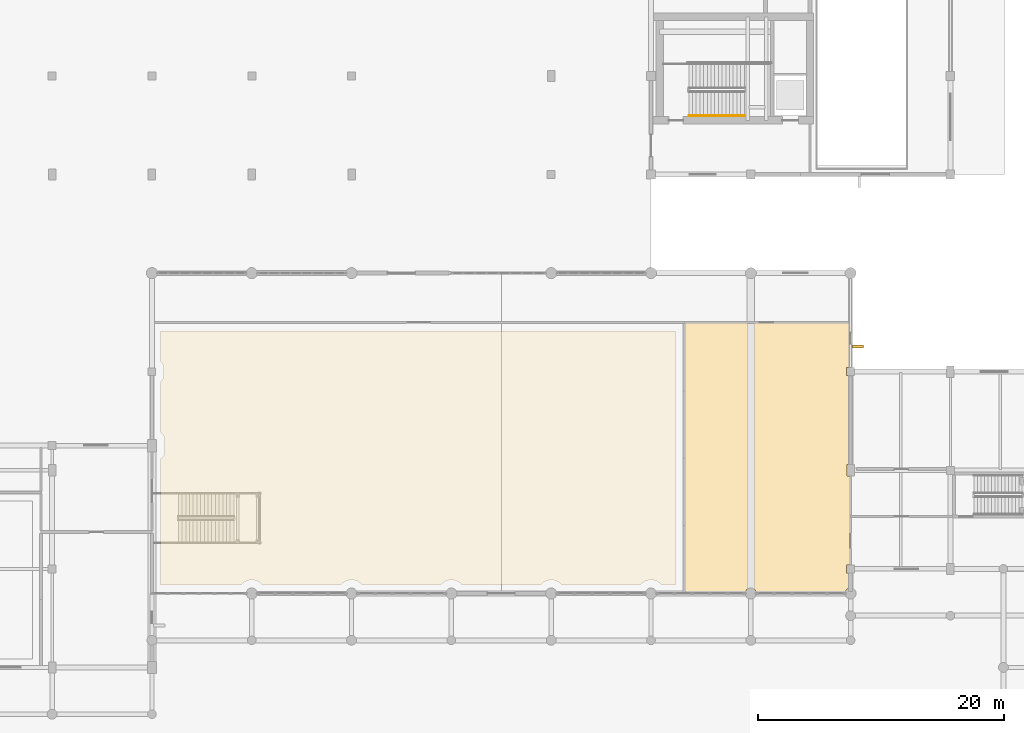
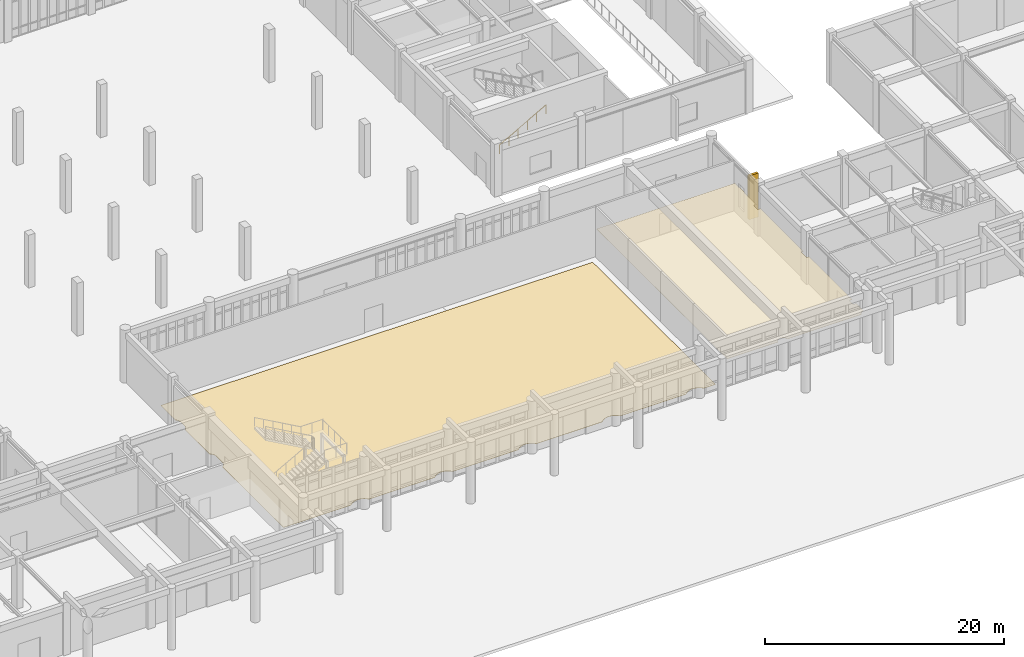
# One storey, part 55 of 62: 2 coverings, 1 railing, 1 shading device.
"""IFC4 building model written with IfcOpenShell, lengths in metres."""

from ifc_helpers import new_model, si_unit, direction, frame, origin, origin_2d, place, context, subcontext, project, spatial, polyline, rectangle, circle, outline, extrude, material, layer, layer_set, material_profile, profile_set, type_object, element, save


model = new_model("IFC4")

# Units and contexts
model_context = context("Model", 3, precision=1e-05, world=origin(), true_north=direction((0.0, 1.0)))
body_context = subcontext(model_context, "Body", "Model", "MODEL_VIEW")
ifc_project = project(units=[si_unit("LENGTHUNIT", "METRE"), si_unit("AREAUNIT", "SQUARE_METRE"), si_unit("VOLUMEUNIT", "CUBIC_METRE"), si_unit("PLANEANGLEUNIT", "RADIAN"), si_unit("MASSUNIT", "GRAM", prefix="KILO")], contexts=[model_context])

# Site, building, storey
site_placement = place(None, origin())
site = spatial("IfcSite", under=ifc_project, at=site_placement, CompositionType="ELEMENT")
building_placement = place(site_placement, origin())
building = spatial("IfcBuilding", under=site, at=building_placement, Name="Tarnveldt Square Police Headquarters", CompositionType="ELEMENT")
storey_placement = place(building_placement, origin())
storey = spatial("IfcBuildingStorey", under=building, at=storey_placement, Name="L00", CompositionType="ELEMENT", Elevation=0.0)

# Coverings
ifc_material_1 = material(Name="Mineral-fibre acoustic ceiling tile", Category="gypsum")
ifc_layer_1 = layer(ifc_material_1, 0.02001953125)
ifc_layer_set_1 = layer_set([ifc_layer_1], Name="Mineral-fibre acoustic ceiling tile")
covering_type_1 = type_object("IfcCoveringType", Name="COV-CEIL-20", PredefinedType="CEILING", material=ifc_layer_set_1)
covering_1_placement = place(storey_placement, frame((0.0, 0.0, 2.75)))
element("IfcCovering", 1, at=covering_1_placement, inside=storey, type_object=covering_type_1, Name="Public Screening and Memorial Gallery Acoustic Ceiling", PredefinedType="CEILING", context=body_context, shape_type="SweptSolid", body=[
    extrude(outline(polyline([(121.449951171875, 22.448974609375), (121.411865234375, 22.443359375), (121.368896484375, 22.4326171875), (121.326904296875, 22.41748046875), (121.286865234375, 22.398681640625), (121.248779296875, 22.375732421875), (121.213134765625, 22.349365234375), (121.180419921875, 22.319580078125), (121.150634765625, 22.286865234375), (121.124267578125, 22.251220703125), (121.101318359375, 22.213134765625), (121.08251953125, 22.173095703125), (121.0673828125, 22.131103515625), (121.056640625, 22.088134765625), (121.051025390625, 22.050048828125), (113.848876953125, 22.050048828125), (113.84326171875, 22.088134765625), (113.83251953125, 22.131103515625), (113.817626953125, 22.173095703125), (113.798583984375, 22.213134765625), (113.77587890625, 22.251220703125), (113.74951171875, 22.286865234375), (113.7197265625, 22.319580078125), (113.686767578125, 22.349365234375), (113.651123046875, 22.375732421875), (113.613037109375, 22.398681640625), (113.572998046875, 22.41748046875), (113.53125, 22.4326171875), (113.48828125, 22.443359375), (113.4443359375, 22.44970703125), (113.39990234375, 22.451904296875), (113.355712890625, 22.44970703125), (113.311767578125, 22.443359375), (113.268798828125, 22.4326171875), (113.22705078125, 22.41748046875), (113.18701171875, 22.398681640625), (113.14892578125, 22.375732421875), (113.11328125, 22.349365234375), (113.080322265625, 22.319580078125), (113.050537109375, 22.286865234375), (113.024169921875, 22.251220703125), (113.00146484375, 22.213134765625), (112.982421875, 22.173095703125), (112.967529296875, 22.131103515625), (112.956787109375, 22.088134765625), (112.950927734375, 22.050048828125), (108.050048828125, 22.050048828125), (108.050048828125, 43.949951171875), (121.449951171875, 43.949951171875), (121.449951171875, 40.326904296875), (121.173095703125, 40.326904296875), (121.173095703125, 39.673095703125), (121.449951171875, 39.673095703125), (121.449951171875, 32.451904296875), (121.197998046875, 32.451904296875), (121.197998046875, 31.548095703125), (121.449951171875, 31.548095703125), (121.449951171875, 24.326904296875), (121.173095703125, 24.326904296875), (121.173095703125, 23.673095703125), (121.449951171875, 23.673095703125), (121.449951171875, 22.448974609375)])), origin(), (0.0, 0.0, 1.0), 0.02001953125),
])
ifc_material_2 = material(Name="Polished cementitious terrazzo flooring", Category="concrete")
ifc_layer_2 = layer(ifc_material_2, 0.02490234375)
ifc_layer_set_2 = layer_set([ifc_layer_2], Name="Polished cementitious terrazzo flooring")
covering_type_2 = type_object("IfcCoveringType", Name="COV-FLR-25", PredefinedType="FLOORING", material=ifc_layer_set_2)
covering_2_placement = place(storey_placement, origin())
element("IfcCovering", 2, at=covering_2_placement, inside=storey, type_object=covering_type_2, Name="Public Entrance Hall Terrazzo Finish Flooring", PredefinedType="FLOORING", context=body_context, shape_type="SweptSolid", body=[
    extrude(outline(polyline([(65.5, 32.934814453125), (65.5380859375, 32.95751953125), (65.58935546875, 32.99560546875), (65.63671875, 33.038330078125), (65.679443359375, 33.085693359375), (65.717529296875, 33.136962890625), (65.750244140625, 33.191650390625), (65.777587890625, 33.249267578125), (65.799072265625, 33.309326171875), (65.814453125, 33.37109375), (65.823974609375, 33.434326171875), (65.826904296875, 33.498046875), (65.826904296875, 34.501953125), (65.823974609375, 34.565673828125), (65.814453125, 34.62890625), (65.799072265625, 34.690673828125), (65.777587890625, 34.750732421875), (65.750244140625, 34.808349609375), (65.717529296875, 34.863037109375), (65.679443359375, 34.914306640625), (65.63671875, 34.961669921875), (65.58935546875, 35.00439453125), (65.5380859375, 35.04248046875), (65.5, 35.065185546875), (65.5, 39.184814453125), (65.514404296875, 39.195556640625), (65.5615234375, 39.23828125), (65.6044921875, 39.28564453125), (65.642333984375, 39.3369140625), (65.67529296875, 39.3916015625), (65.70263671875, 39.44921875), (65.72412109375, 39.50927734375), (65.739501953125, 39.5712890625), (65.748779296875, 39.63427734375), (65.751953125, 39.697998046875), (65.751953125, 40.302001953125), (65.748779296875, 40.36572265625), (65.739501953125, 40.4287109375), (65.72412109375, 40.49072265625), (65.70263671875, 40.55078125), (65.67529296875, 40.6083984375), (65.642333984375, 40.6630859375), (65.6044921875, 40.71435546875), (65.5615234375, 40.76171875), (65.514404296875, 40.804443359375), (65.5, 40.815185546875), (65.5, 43.300048828125), (107.300048828125, 43.300048828125), (107.300048828125, 22.699951171875), (106.150146484375, 22.699951171875), (106.131103515625, 22.72314453125), (106.101318359375, 22.756103515625), (106.05615234375, 22.80126953125), (106.023193359375, 22.8310546875), (105.973876953125, 22.87158203125), (105.938232421875, 22.89794921875), (105.88525390625, 22.933349609375), (105.84716796875, 22.9560546875), (105.791015625, 22.986328125), (105.7509765625, 23.005126953125), (105.69189453125, 23.029541015625), (105.650146484375, 23.04443359375), (105.589111328125, 23.06298828125), (105.546142578125, 23.07373046875), (105.483642578125, 23.086181640625), (105.439697265625, 23.0927734375), (105.376220703125, 23.09912109375), (105.331787109375, 23.101318359375), (105.26806640625, 23.101318359375), (105.223876953125, 23.09912109375), (105.160400390625, 23.0927734375), (105.116455078125, 23.086181640625), (105.053955078125, 23.07373046875), (105.0107421875, 23.06298828125), (104.94970703125, 23.04443359375), (104.907958984375, 23.029541015625), (104.84912109375, 23.005126953125), (104.80908203125, 22.986328125), (104.752685546875, 22.9560546875), (104.714599609375, 22.933349609375), (104.66162109375, 22.89794921875), (104.6259765625, 22.87158203125), (104.57666015625, 22.8310546875), (104.5439453125, 22.80126953125), (104.498779296875, 22.756103515625), (104.468994140625, 22.72314453125), (104.449951171875, 22.699951171875), (98.050048828125, 22.699951171875), (98.031005859375, 22.72314453125), (98.001220703125, 22.756103515625), (97.9560546875, 22.80126953125), (97.92333984375, 22.8310546875), (97.8740234375, 22.87158203125), (97.83837890625, 22.89794921875), (97.785400390625, 22.933349609375), (97.747314453125, 22.9560546875), (97.69091796875, 22.986328125), (97.65087890625, 23.005126953125), (97.592041015625, 23.029541015625), (97.55029296875, 23.04443359375), (97.4892578125, 23.06298828125), (97.446044921875, 23.07373046875), (97.383544921875, 23.086181640625), (97.339599609375, 23.0927734375), (97.276123046875, 23.09912109375), (97.23193359375, 23.101318359375), (97.168212890625, 23.101318359375), (97.123779296875, 23.09912109375), (97.060302734375, 23.0927734375), (97.016357421875, 23.086181640625), (96.953857421875, 23.07373046875), (96.910888671875, 23.06298828125), (96.849853515625, 23.04443359375), (96.80810546875, 23.029541015625), (96.7490234375, 23.005126953125), (96.708984375, 22.986328125), (96.65283203125, 22.9560546875), (96.61474609375, 22.933349609375), (96.561767578125, 22.89794921875), (96.526123046875, 22.87158203125), (96.476806640625, 22.8310546875), (96.44384765625, 22.80126953125), (96.398681640625, 22.756103515625), (96.368896484375, 22.72314453125), (96.349853515625, 22.699951171875), (89.9501953125, 22.699951171875), (89.930908203125, 22.72314453125), (89.901123046875, 22.756103515625), (89.856201171875, 22.80126953125), (89.8232421875, 22.8310546875), (89.77392578125, 22.87158203125), (89.73828125, 22.89794921875), (89.685302734375, 22.933349609375), (89.647216796875, 22.9560546875), (89.591064453125, 22.986328125), (89.55078125, 23.005126953125), (89.491943359375, 23.029541015625), (89.4501953125, 23.04443359375), (89.38916015625, 23.06298828125), (89.34619140625, 23.07373046875), (89.283447265625, 23.086181640625), (89.23974609375, 23.0927734375), (89.17626953125, 23.09912109375), (89.1318359375, 23.101318359375), (89.068115234375, 23.101318359375), (89.023681640625, 23.09912109375), (88.960205078125, 23.0927734375), (88.91650390625, 23.086181640625), (88.85400390625, 23.07373046875), (88.810791015625, 23.06298828125), (88.749755859375, 23.04443359375), (88.7080078125, 23.029541015625), (88.649169921875, 23.005126953125), (88.609130859375, 22.986328125), (88.552734375, 22.9560546875), (88.5146484375, 22.933349609375), (88.461669921875, 22.89794921875), (88.426025390625, 22.87158203125), (88.376708984375, 22.8310546875), (88.343994140625, 22.80126953125), (88.298828125, 22.756103515625), (88.26904296875, 22.72314453125), (88.25, 22.699951171875), (81.85009765625, 22.699951171875), (81.8310546875, 22.72314453125), (81.80126953125, 22.756103515625), (81.756103515625, 22.80126953125), (81.72314453125, 22.8310546875), (81.674072265625, 22.87158203125), (81.638427734375, 22.89794921875), (81.585205078125, 22.933349609375), (81.547119140625, 22.9560546875), (81.490966796875, 22.986328125), (81.450927734375, 23.005126953125), (81.391845703125, 23.029541015625), (81.35009765625, 23.04443359375), (81.2890625, 23.06298828125), (81.24609375, 23.07373046875), (81.18359375, 23.086181640625), (81.1396484375, 23.0927734375), (81.076171875, 23.09912109375), (81.031982421875, 23.101318359375), (80.968017578125, 23.101318359375), (80.923828125, 23.09912109375), (80.8603515625, 23.0927734375), (80.81640625, 23.086181640625), (80.75390625, 23.07373046875), (80.7109375, 23.06298828125), (80.64990234375, 23.04443359375), (80.608154296875, 23.029541015625), (80.549072265625, 23.005126953125), (80.509033203125, 22.986328125), (80.452880859375, 22.9560546875), (80.414794921875, 22.933349609375), (80.361572265625, 22.89794921875), (80.325927734375, 22.87158203125), (80.27685546875, 22.8310546875), (80.243896484375, 22.80126953125), (80.19873046875, 22.756103515625), (80.1689453125, 22.72314453125), (80.14990234375, 22.699951171875), (73.75, 22.699951171875), (73.73095703125, 22.72314453125), (73.701171875, 22.756103515625), (73.656005859375, 22.80126953125), (73.623291015625, 22.8310546875), (73.573974609375, 22.87158203125), (73.538330078125, 22.89794921875), (73.4853515625, 22.933349609375), (73.447265625, 22.9560546875), (73.390869140625, 22.986328125), (73.350830078125, 23.005126953125), (73.2919921875, 23.029541015625), (73.250244140625, 23.04443359375), (73.189208984375, 23.06298828125), (73.14599609375, 23.07373046875), (73.08349609375, 23.086181640625), (73.039794921875, 23.0927734375), (72.976318359375, 23.09912109375), (72.931884765625, 23.101318359375), (72.8681640625, 23.101318359375), (72.82373046875, 23.09912109375), (72.76025390625, 23.0927734375), (72.716552734375, 23.086181640625), (72.65380859375, 23.07373046875), (72.61083984375, 23.06298828125), (72.5498046875, 23.04443359375), (72.508056640625, 23.029541015625), (72.44921875, 23.005126953125), (72.408935546875, 22.986328125), (72.352783203125, 22.9560546875), (72.314697265625, 22.933349609375), (72.26171875, 22.89794921875), (72.22607421875, 22.87158203125), (72.1767578125, 22.8310546875), (72.143798828125, 22.80126953125), (72.098876953125, 22.756103515625), (72.069091796875, 22.72314453125), (72.0498046875, 22.699951171875), (65.5, 22.699951171875), (65.5, 32.934814453125)])), origin(), (0.0, 0.0, 1.0), 0.02490234375),
])

# Railing
ifc_material_3 = material(Name="Steel 350W", Category="steel")
railing_type = type_object("IfcRailingType", Name="RL-HR-900", PredefinedType="HANDRAIL", material=ifc_material_3)
railing_placement = place(storey_placement, frame((108.3701171875, 60.77001953125, 0.168701171875)))
element("IfcRailing", 3, at=railing_placement, inside=storey, type_object=railing_type, Name="L00 ST4 stair handrail 1", PredefinedType="HANDRAIL", context=body_context, shape_type="SweptSolid", body=[
    extrude(circle(Radius=0.02392578125, at=origin_2d()), frame((0.0, 0.0, 0.8759765625), z_axis=(0.871575537125, 0.0, 0.490261239633), x_axis=(0.0, 1.0, 0.0)), (0.0, 0.0, 1.0), 5.1630859375),
    extrude(circle(Radius=0.02099609375, at=origin_2d()), origin(), (0.0, 0.0, 1.0), 0.851806640625),
    extrude(circle(Radius=0.02099609375, at=origin_2d()), frame((0.89990234375, 0.0, 0.50634765625)), (0.0, 0.0, 1.0), 0.851806640625),
    extrude(circle(Radius=0.02099609375, at=origin_2d()), frame((1.800048828125, 0.0, 1.012451171875)), (0.0, 0.0, 1.0), 0.851806640625),
    extrude(circle(Radius=0.02099609375, at=origin_2d()), frame((2.699951171875, 0.0, 1.518798828125)), (0.0, 0.0, 1.0), 0.851806640625),
    extrude(circle(Radius=0.02099609375, at=origin_2d()), frame((3.60009765625, 0.0, 2.02490234375)), (0.0, 0.0, 1.0), 0.851806640625),
    extrude(circle(Radius=0.02099609375, at=origin_2d()), frame((4.5, 0.0, 2.53125)), (0.0, 0.0, 1.0), 0.851806640625),
])

# Shading device
ifc_material_4 = material(Name="Precast concrete 35 MPa", Category="concrete")
ifc_material_profile = material_profile(ifc_material_4, rectangle(XDim=0.219970703125, YDim=0.89990234375, at=origin_2d()), Name="PC-FIN220x900")
ifc_profile_set = profile_set([ifc_material_profile], Name="Precast concrete 35 MPa")
shading_device_type = type_object("IfcShadingDeviceType", Name="SHD-FIN-900", PredefinedType="USERDEFINED", material=ifc_profile_set)
shading_device_placement = place(storey_placement, frame((122.090087890625, 42.050048828125, 0.14990234375), z_axis=(0.0, 0.0, 1.0), x_axis=(0.0, 1.0, 0.0)))
element("IfcShadingDevice", 4, at=shading_device_placement, inside=storey, type_object=shading_device_type, Name="L00 Precast Deep-Reveal Brutalist Fin 002", ObjectType="SOLAR SHADING FIN", PredefinedType="USERDEFINED", context=body_context, shape_type="SweptSolid", body=[
    extrude(rectangle(XDim=0.219970703125, YDim=0.89990234375, at=origin_2d()), origin(), (0.0, 0.0, 1.0), 4.4951171875),
])

save(model, "model.ifc")
